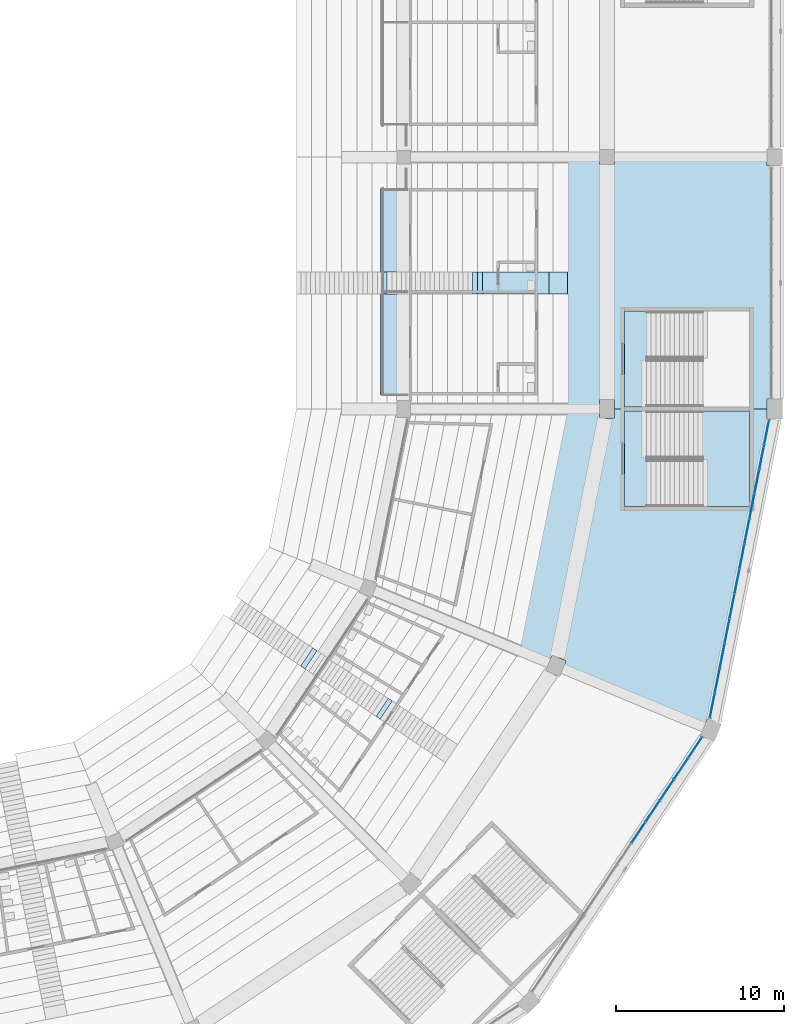
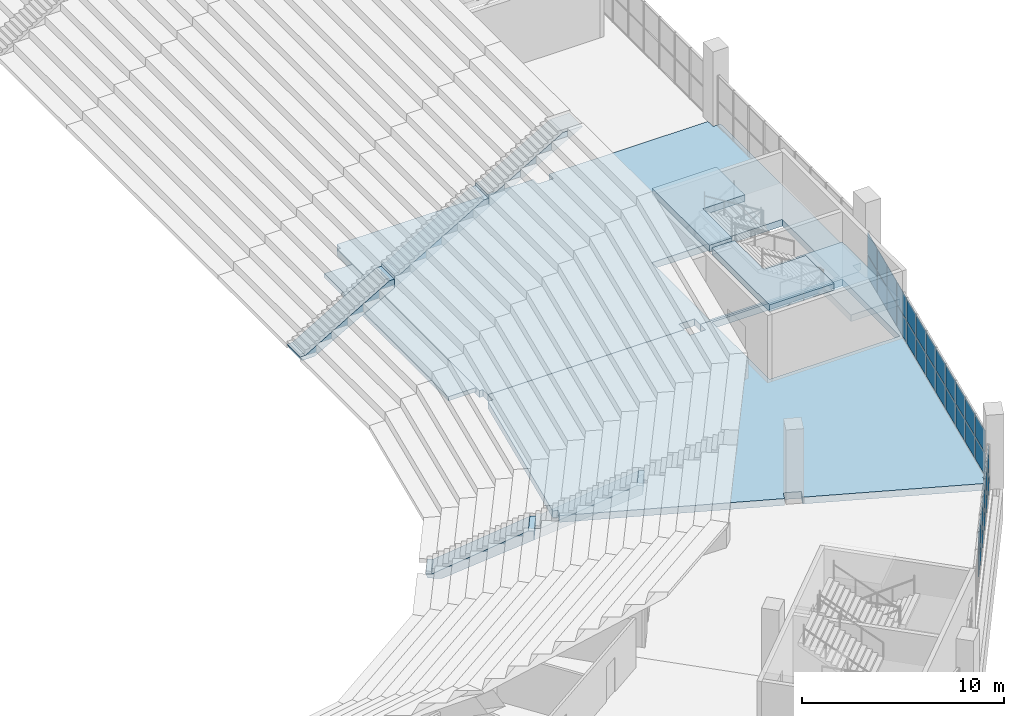
# One storey, part 71 of 249: 34 plates, 11 slabs, 4 elements without a shape of their own.
"""IFC4 building model written with IfcOpenShell, lengths in metres."""

from ifc_helpers import new_model, si_unit, direction, frame, origin, origin_2d, place, context, subcontext, project, spatial, polyline, rectangle, outline, extrude, material, layer, layer_set, type_object, element, aggregate, save


model = new_model("IFC4")

# Units and contexts
model_context = context("Model", 3, precision=1e-05, world=origin(), true_north=direction((0.0, 1.0)))
body_context = subcontext(model_context, "Body", "Model", "MODEL_VIEW")
ifc_project = project(units=[si_unit("LENGTHUNIT", "METRE"), si_unit("AREAUNIT", "SQUARE_METRE"), si_unit("VOLUMEUNIT", "CUBIC_METRE"), si_unit("PLANEANGLEUNIT", "RADIAN"), si_unit("MASSUNIT", "GRAM", prefix="KILO")], contexts=[model_context])

# Site, building, storey
site_placement = place(None, origin())
site = spatial("IfcSite", under=ifc_project, at=site_placement, CompositionType="ELEMENT")
building_placement = place(site_placement, origin())
building = spatial("IfcBuilding", under=site, at=building_placement, Name="Ogive Plaza Stadium", CompositionType="ELEMENT")
storey_placement = place(building_placement, frame((0.0, 0.0, 13.5)))
storey = spatial("IfcBuildingStorey", under=building, at=storey_placement, Name="L03", CompositionType="ELEMENT", Elevation=13.5)

# Slabs
ifc_material_1 = material(Name="Concrete C40/50", Category="concrete")
ifc_layer_1 = layer(ifc_material_1, 0.73486328125)
ifc_layer_set_1 = layer_set([ifc_layer_1], Name="Concrete C40/50")
ifc_layer_2 = layer(ifc_material_1, 0.449951171875)
ifc_layer_set_2 = layer_set([ifc_layer_2], Name="Concrete C40/50")
slab_type_1 = type_object("IfcSlabType", Name="Aisle stair slab 1300", PredefinedType="USERDEFINED", material=ifc_layer_set_2)
slab_1_placement = place(storey_placement, frame((55.5, -45.0, -13.5), z_axis=(0.0, 0.0, 1.0), x_axis=(1.0, 0.0, 0.0)))
element("IfcSlab", 1, at=slab_1_placement, inside=storey, type_object=slab_type_1, material=ifc_layer_set_1, Name="Aisle stair SA07U slab 1", ObjectType="AISLE STAIR SLAB", PredefinedType="USERDEFINED", context=body_context, shape_type="SweptSolid", body=[
    extrude(outline(polyline([(0.0, 14.0), (0.2958984375, 14.0), (5.10009765625, 16.825927734375), (5.39990234375, 16.825927734375), (5.39990234375, 16.300048828125), (5.359375, 16.27734375), (5.209228515625, 16.194091796875), (5.059326171875, 16.110595703125), (4.9091796875, 16.02734375), (4.75927734375, 15.944091796875), (4.609375, 15.860595703125), (4.459228515625, 15.77734375), (4.309326171875, 15.694091796875), (4.1591796875, 15.610595703125), (4.00927734375, 15.52734375), (3.859375, 15.444091796875), (3.709228515625, 15.360595703125), (3.559326171875, 15.27734375), (3.4091796875, 15.194091796875), (3.25927734375, 15.110595703125), (3.109375, 15.02734375), (2.959228515625, 14.944091796875), (2.809326171875, 14.860595703125), (2.6591796875, 14.77734375), (2.50927734375, 14.694091796875), (2.359375, 14.610595703125), (2.209228515625, 14.52734375), (2.059326171875, 14.444091796875), (1.9091796875, 14.360595703125), (1.75927734375, 14.27734375), (1.609375, 14.194091796875), (1.459228515625, 14.110595703125), (1.309326171875, 14.02734375), (1.1591796875, 13.944091796875), (1.00927734375, 13.860595703125), (0.859375, 13.77734375), (0.709228515625, 13.75), (0.559326171875, 13.75), (0.4091796875, 13.75), (0.25927734375, 13.75), (0.109375, 13.75), (0.0, 14.0)])), frame((0.0, 0.64990234375, 0.0), z_axis=(0.0, -1.0, 0.0), x_axis=(1.0, 0.0, 0.0)), (0.0, 0.0, 1.0), 1.300048828125),
])
ifc_layer_3 = layer(ifc_material_1, 0.75927734375)
ifc_layer_set_3 = layer_set([ifc_layer_3], Name="Concrete C40/50")
slab_2_placement = place(storey_placement, frame((60.89990234375, -45.0, -13.5), z_axis=(0.0, 0.0, 1.0), x_axis=(1.0, 0.0, 0.0)))
element("IfcSlab", 2, at=slab_2_placement, inside=storey, type_object=slab_type_1, material=ifc_layer_set_3, Name="Aisle stair SA07U slab 2", ObjectType="AISLE STAIR SLAB", PredefinedType="USERDEFINED", context=body_context, shape_type="SweptSolid", body=[
    extrude(outline(polyline([(0.0, 17.0), (0.2958984375, 17.0), (5.10009765625, 19.825927734375), (5.39990234375, 19.825927734375), (5.39990234375, 19.300048828125), (5.25, 19.216796875), (5.10009765625, 19.13330078125), (4.949951171875, 19.050048828125), (4.800048828125, 18.966796875), (4.64990234375, 18.88330078125), (4.5, 18.800048828125), (4.35009765625, 18.716796875), (4.199951171875, 18.63330078125), (4.050048828125, 18.550048828125), (3.89990234375, 18.466796875), (3.75, 18.38330078125), (3.60009765625, 18.300048828125), (3.449951171875, 18.216796875), (3.300048828125, 18.13330078125), (3.14990234375, 18.050048828125), (3.0, 17.966796875), (2.85009765625, 17.88330078125), (2.699951171875, 17.800048828125), (2.550048828125, 17.716796875), (2.39990234375, 17.63330078125), (2.25, 17.550048828125), (2.10009765625, 17.466796875), (1.949951171875, 17.38330078125), (1.800048828125, 17.300048828125), (1.64990234375, 17.216796875), (1.5, 17.13330078125), (1.35009765625, 17.050048828125), (1.199951171875, 16.966796875), (1.050048828125, 16.88330078125), (0.89990234375, 16.800048828125), (0.75, 16.716796875), (0.60009765625, 16.63330078125), (0.449951171875, 16.550048828125), (0.300048828125, 16.466796875), (0.14990234375, 16.38330078125), (0.0, 16.300048828125), (0.0, 17.0)])), frame((0.0, 0.64990234375, 0.0), z_axis=(0.0, -1.0, 0.0), x_axis=(1.0, 0.0, 0.0)), (0.0, 0.0, 1.0), 1.300048828125),
])
ifc_layer_4 = layer(ifc_material_1, 1.08056640625)
ifc_layer_set_4 = layer_set([ifc_layer_4], Name="Concrete C40/50")
slab_3_placement = place(storey_placement, frame((66.300048828125, -45.0, -13.5), z_axis=(0.0, 0.0, 1.0), x_axis=(1.0, 0.0, 0.0)))
element("IfcSlab", 3, at=slab_3_placement, inside=storey, type_object=slab_type_1, material=ifc_layer_set_4, Name="Aisle stair SA07U slab 3", ObjectType="AISLE STAIR SLAB", PredefinedType="USERDEFINED", context=body_context, shape_type="SweptSolid", body=[
    extrude(outline(polyline([(0.0, 20.0), (0.2958984375, 20.0), (4.25, 22.325927734375), (5.35009765625, 22.325927734375), (5.35009765625, 22.272216796875), (5.25, 22.216796875), (5.10009765625, 22.13330078125), (4.949951171875, 22.050048828125), (4.800048828125, 21.966796875), (4.64990234375, 21.88330078125), (4.5, 21.800048828125), (4.35009765625, 21.716796875), (4.199951171875, 21.63330078125), (4.050048828125, 21.550048828125), (3.89990234375, 21.466796875), (3.75, 21.38330078125), (3.60009765625, 21.300048828125), (3.449951171875, 21.216796875), (3.300048828125, 21.13330078125), (3.14990234375, 21.050048828125), (3.0, 20.966796875), (2.85009765625, 20.88330078125), (2.699951171875, 20.800048828125), (2.550048828125, 20.716796875), (2.39990234375, 20.63330078125), (2.25, 20.550048828125), (2.10009765625, 20.466796875), (1.949951171875, 20.38330078125), (1.800048828125, 20.300048828125), (1.64990234375, 20.216796875), (1.5, 20.13330078125), (1.35009765625, 20.050048828125), (1.199951171875, 19.966796875), (1.050048828125, 19.88330078125), (0.89990234375, 19.800048828125), (0.75, 19.716796875), (0.60009765625, 19.63330078125), (0.449951171875, 19.550048828125), (0.300048828125, 19.466796875), (0.14990234375, 19.38330078125), (0.0, 19.300048828125), (0.0, 20.0)])), frame((0.0, 0.64990234375, 0.0), z_axis=(0.0, -1.0, 0.0), x_axis=(1.0, 0.0, 0.0)), (0.0, 0.0, 1.0), 1.300048828125),
])
slab_4_placement = place(storey_placement, frame((51.876708984375, -64.44482421875, -13.5), z_axis=(0.0, 0.0, 1.0), x_axis=(0.831469612303, -0.55557023302, 0.0)))
element("IfcSlab", 4, at=slab_4_placement, inside=storey, type_object=slab_type_1, material=ifc_layer_set_1, Name="Aisle stair SA09U slab 1", ObjectType="AISLE STAIR SLAB", PredefinedType="USERDEFINED", context=body_context, shape_type="SweptSolid", body=[
    extrude(outline(polyline([(0.0, 14.0), (0.2958984375, 14.0), (5.10009765625, 16.825927734375), (5.39990234375, 16.825927734375), (5.39990234375, 16.300048828125), (5.359375, 16.27734375), (5.209228515625, 16.194091796875), (5.059326171875, 16.110595703125), (4.9091796875, 16.02734375), (4.75927734375, 15.944091796875), (4.609375, 15.860595703125), (4.459228515625, 15.77734375), (4.309326171875, 15.694091796875), (4.1591796875, 15.610595703125), (4.00927734375, 15.52734375), (3.859375, 15.444091796875), (3.709228515625, 15.360595703125), (3.559326171875, 15.27734375), (3.4091796875, 15.194091796875), (3.25927734375, 15.110595703125), (3.109375, 15.02734375), (2.959228515625, 14.944091796875), (2.809326171875, 14.860595703125), (2.6591796875, 14.77734375), (2.50927734375, 14.694091796875), (2.359375, 14.610595703125), (2.209228515625, 14.52734375), (2.059326171875, 14.444091796875), (1.9091796875, 14.360595703125), (1.75927734375, 14.27734375), (1.609375, 14.194091796875), (1.459228515625, 14.110595703125), (1.309326171875, 14.02734375), (1.1591796875, 13.944091796875), (1.00927734375, 13.860595703125), (0.859375, 13.77734375), (0.709228515625, 13.75), (0.559326171875, 13.75), (0.4091796875, 13.75), (0.25927734375, 13.75), (0.109375, 13.75), (0.0, 14.0)])), frame((0.0, 0.64990234375, 0.0), z_axis=(0.0, -1.0, 0.0), x_axis=(1.0, 0.0, 0.0)), (0.0, 0.0, 1.0), 1.300048828125),
])
slab_5_placement = place(storey_placement, frame((56.366455078125, -67.44482421875, -13.5), z_axis=(0.0, 0.0, 1.0), x_axis=(0.831469612303, -0.55557023302, 0.0)))
element("IfcSlab", 5, at=slab_5_placement, inside=storey, type_object=slab_type_1, material=ifc_layer_set_3, Name="Aisle stair SA09U slab 2", ObjectType="AISLE STAIR SLAB", PredefinedType="USERDEFINED", context=body_context, shape_type="SweptSolid", body=[
    extrude(outline(polyline([(0.0, 17.0), (0.2958984375, 17.0), (5.10009765625, 19.825927734375), (5.39990234375, 19.825927734375), (5.39990234375, 19.300048828125), (5.25, 19.216796875), (5.10009765625, 19.13330078125), (4.949951171875, 19.050048828125), (4.800048828125, 18.966796875), (4.64990234375, 18.88330078125), (4.5, 18.800048828125), (4.35009765625, 18.716796875), (4.199951171875, 18.63330078125), (4.050048828125, 18.550048828125), (3.89990234375, 18.466796875), (3.75, 18.38330078125), (3.60009765625, 18.300048828125), (3.449951171875, 18.216796875), (3.300048828125, 18.13330078125), (3.14990234375, 18.050048828125), (3.0, 17.966796875), (2.85009765625, 17.88330078125), (2.699951171875, 17.800048828125), (2.550048828125, 17.716796875), (2.39990234375, 17.63330078125), (2.25, 17.550048828125), (2.10009765625, 17.466796875), (1.949951171875, 17.38330078125), (1.800048828125, 17.300048828125), (1.64990234375, 17.216796875), (1.5, 17.13330078125), (1.35009765625, 17.050048828125), (1.199951171875, 16.966796875), (1.050048828125, 16.88330078125), (0.89990234375, 16.800048828125), (0.75, 16.716796875), (0.60009765625, 16.63330078125), (0.449951171875, 16.550048828125), (0.300048828125, 16.466796875), (0.14990234375, 16.38330078125), (0.0, 16.300048828125), (0.0, 17.0)])), frame((0.0, 0.64990234375, 0.0), z_axis=(0.0, -1.0, 0.0), x_axis=(1.0, 0.0, 0.0)), (0.0, 0.0, 1.0), 1.300048828125),
])
ifc_material_2 = material(Name="Concrete C40/50", Category="concrete")
ifc_layer_5 = layer(ifc_material_2, 0.25)
ifc_layer_set_5 = layer_set([ifc_layer_5], Name="Concrete C40/50")
slab_type_2 = type_object("IfcSlabType", Name="Balcony slab 250", PredefinedType="FLOOR", material=ifc_layer_set_5)
slab_6_placement = place(storey_placement, frame((0.0, 0.0, -0.25)))
element("IfcSlab", 6, at=slab_6_placement, inside=storey, type_object=slab_type_2, Name="Suite terrace slab B07", PredefinedType="FLOOR", context=body_context, shape_type="SweptSolid", body=[
    extrude(outline(polyline([(60.5, -51.675048828125), (62.10009765625, -51.675048828125), (62.10009765625, -39.375), (60.5, -39.375), (60.5, -51.675048828125)])), origin(), (0.0, 0.0, 1.0), 0.25),
])

# Curtain wall, plates
ifc_material_3 = material(Name="Bronze-anodised aluminium with laminated glass", Category="aluminium")
curtain_wall_type = type_object("IfcCurtainWallType", Name="Lancet curtain wall", PredefinedType="NOTDEFINED", material=ifc_material_3)
curtain_wall_1_placement = place(storey_placement, origin())
curtain_wall_1 = element("IfcCurtainWall", 7, at=curtain_wall_1_placement, inside=storey, type_object=curtain_wall_type, Name="CURTAIN WALL B08 L03", PredefinedType="NOTDEFINED")
ifc_material_4 = material(Name="Laminated glass", Category="glass")
ifc_layer_6 = layer(ifc_material_4, 0.028076171875)
ifc_layer_set_6 = layer_set([ifc_layer_6], Name="Laminated glass panel 28")
plate_type = type_object("IfcPlateType", Name="Laminated glass panel 28", PredefinedType="CURTAIN_PANEL", material=ifc_layer_set_6)
plate_1_placement = place(storey_placement, frame((83.522705078125, -53.874267578125, 0.0498046875), z_axis=(0.0, 0.0, 1.0), x_axis=(-0.195090322016, -0.980785280403, 0.0)))
plate_1 = element("IfcPlate", 8, at=plate_1_placement, type_object=plate_type, Name="CW-B08-L03 panel 1.1", PredefinedType="CURTAIN_PANEL", context=body_context, shape_type="SweptSolid", body=[
    extrude(rectangle(XDim=1.43896484375, YDim=0.028076171875, at=origin_2d()), origin(), (0.0, 0.0, 1.0), 1.320068359375),
])
plate_2_placement = place(storey_placement, frame((83.522705078125, -53.874267578125, 1.419921875), z_axis=(0.0, 0.0, 1.0), x_axis=(-0.195090322016, -0.980785280403, 0.0)))
plate_2 = element("IfcPlate", 9, at=plate_2_placement, type_object=plate_type, Name="CW-B08-L03 panel 1.2", PredefinedType="CURTAIN_PANEL", context=body_context, shape_type="SweptSolid", body=[
    extrude(rectangle(XDim=1.43896484375, YDim=0.028076171875, at=origin_2d()), origin(), (0.0, 0.0, 1.0), 1.320068359375),
])
plate_3_placement = place(storey_placement, frame((83.229736328125, -55.3466796875, 0.0498046875), z_axis=(0.0, 0.0, 1.0), x_axis=(-0.195090322016, -0.980785280403, 0.0)))
plate_3 = element("IfcPlate", 10, at=plate_3_placement, type_object=plate_type, Name="CW-B08-L03 panel 2.1", PredefinedType="CURTAIN_PANEL", context=body_context, shape_type="SweptSolid", body=[
    extrude(rectangle(XDim=1.4638671875, YDim=0.028076171875, at=origin_2d()), origin(), (0.0, 0.0, 1.0), 1.320068359375),
])
plate_4_placement = place(storey_placement, frame((83.229736328125, -55.3466796875, 1.419921875), z_axis=(0.0, 0.0, 1.0), x_axis=(-0.195090322016, -0.980785280403, 0.0)))
plate_4 = element("IfcPlate", 11, at=plate_4_placement, type_object=plate_type, Name="CW-B08-L03 panel 2.2", PredefinedType="CURTAIN_PANEL", context=body_context, shape_type="SweptSolid", body=[
    extrude(rectangle(XDim=1.4638671875, YDim=0.028076171875, at=origin_2d()), origin(), (0.0, 0.0, 1.0), 1.320068359375),
])
plate_5_placement = place(storey_placement, frame((82.9345703125, -56.831298828125, 0.0498046875), z_axis=(0.0, 0.0, 1.0), x_axis=(-0.195090322016, -0.980785280403, 0.0)))
plate_5 = element("IfcPlate", 12, at=plate_5_placement, type_object=plate_type, Name="CW-B08-L03 panel 3.1", PredefinedType="CURTAIN_PANEL", context=body_context, shape_type="SweptSolid", body=[
    extrude(rectangle(XDim=1.4638671875, YDim=0.028076171875, at=origin_2d()), origin(), (0.0, 0.0, 1.0), 1.320068359375),
])
plate_6_placement = place(storey_placement, frame((82.9345703125, -56.831298828125, 1.419921875), z_axis=(0.0, 0.0, 1.0), x_axis=(-0.195090322016, -0.980785280403, 0.0)))
plate_6 = element("IfcPlate", 13, at=plate_6_placement, type_object=plate_type, Name="CW-B08-L03 panel 3.2", PredefinedType="CURTAIN_PANEL", context=body_context, shape_type="SweptSolid", body=[
    extrude(rectangle(XDim=1.4638671875, YDim=0.028076171875, at=origin_2d()), origin(), (0.0, 0.0, 1.0), 1.320068359375),
])
plate_7_placement = place(storey_placement, frame((82.63916015625, -58.316162109375, 0.0498046875), z_axis=(0.0, 0.0, 1.0), x_axis=(-0.195090322016, -0.980785280403, 0.0)))
plate_7 = element("IfcPlate", 14, at=plate_7_placement, type_object=plate_type, Name="CW-B08-L03 panel 4.1", PredefinedType="CURTAIN_PANEL", context=body_context, shape_type="SweptSolid", body=[
    extrude(rectangle(XDim=1.4638671875, YDim=0.028076171875, at=origin_2d()), origin(), (0.0, 0.0, 1.0), 1.320068359375),
])
plate_8_placement = place(storey_placement, frame((82.63916015625, -58.316162109375, 1.419921875), z_axis=(0.0, 0.0, 1.0), x_axis=(-0.195090322016, -0.980785280403, 0.0)))
plate_8 = element("IfcPlate", 15, at=plate_8_placement, type_object=plate_type, Name="CW-B08-L03 panel 4.2", PredefinedType="CURTAIN_PANEL", context=body_context, shape_type="SweptSolid", body=[
    extrude(rectangle(XDim=1.4638671875, YDim=0.028076171875, at=origin_2d()), origin(), (0.0, 0.0, 1.0), 1.320068359375),
])
plate_9_placement = place(storey_placement, frame((82.34375, -59.801025390625, 0.0498046875), z_axis=(0.0, 0.0, 1.0), x_axis=(-0.195090322016, -0.980785280403, 0.0)))
plate_9 = element("IfcPlate", 16, at=plate_9_placement, type_object=plate_type, Name="CW-B08-L03 panel 5.1", PredefinedType="CURTAIN_PANEL", context=body_context, shape_type="SweptSolid", body=[
    extrude(rectangle(XDim=1.4638671875, YDim=0.028076171875, at=origin_2d()), origin(), (0.0, 0.0, 1.0), 1.320068359375),
])
plate_10_placement = place(storey_placement, frame((82.34375, -59.801025390625, 1.419921875), z_axis=(0.0, 0.0, 1.0), x_axis=(-0.195090322016, -0.980785280403, 0.0)))
plate_10 = element("IfcPlate", 17, at=plate_10_placement, type_object=plate_type, Name="CW-B08-L03 panel 5.2", PredefinedType="CURTAIN_PANEL", context=body_context, shape_type="SweptSolid", body=[
    extrude(rectangle(XDim=1.4638671875, YDim=0.028076171875, at=origin_2d()), origin(), (0.0, 0.0, 1.0), 1.320068359375),
])
plate_11_placement = place(storey_placement, frame((82.048583984375, -61.28564453125, 0.0498046875), z_axis=(0.0, 0.0, 1.0), x_axis=(-0.195090322016, -0.980785280403, 0.0)))
plate_11 = element("IfcPlate", 18, at=plate_11_placement, type_object=plate_type, Name="CW-B08-L03 panel 6.1", PredefinedType="CURTAIN_PANEL", context=body_context, shape_type="SweptSolid", body=[
    extrude(rectangle(XDim=1.4638671875, YDim=0.028076171875, at=origin_2d()), origin(), (0.0, 0.0, 1.0), 1.320068359375),
])
plate_12_placement = place(storey_placement, frame((82.048583984375, -61.28564453125, 1.419921875), z_axis=(0.0, 0.0, 1.0), x_axis=(-0.195090322016, -0.980785280403, 0.0)))
plate_12 = element("IfcPlate", 19, at=plate_12_placement, type_object=plate_type, Name="CW-B08-L03 panel 6.2", PredefinedType="CURTAIN_PANEL", context=body_context, shape_type="SweptSolid", body=[
    extrude(rectangle(XDim=1.4638671875, YDim=0.028076171875, at=origin_2d()), origin(), (0.0, 0.0, 1.0), 1.320068359375),
])
plate_13_placement = place(storey_placement, frame((81.753173828125, -62.7705078125, 0.0498046875), z_axis=(0.0, 0.0, 1.0), x_axis=(-0.195090322016, -0.980785280403, 0.0)))
plate_13 = element("IfcPlate", 20, at=plate_13_placement, type_object=plate_type, Name="CW-B08-L03 panel 7.1", PredefinedType="CURTAIN_PANEL", context=body_context, shape_type="SweptSolid", body=[
    extrude(rectangle(XDim=1.4638671875, YDim=0.028076171875, at=origin_2d()), origin(), (0.0, 0.0, 1.0), 1.320068359375),
])
plate_14_placement = place(storey_placement, frame((81.753173828125, -62.7705078125, 1.419921875), z_axis=(0.0, 0.0, 1.0), x_axis=(-0.195090322016, -0.980785280403, 0.0)))
plate_14 = element("IfcPlate", 21, at=plate_14_placement, type_object=plate_type, Name="CW-B08-L03 panel 7.2", PredefinedType="CURTAIN_PANEL", context=body_context, shape_type="SweptSolid", body=[
    extrude(rectangle(XDim=1.4638671875, YDim=0.028076171875, at=origin_2d()), origin(), (0.0, 0.0, 1.0), 1.320068359375),
])
plate_15_placement = place(storey_placement, frame((81.457763671875, -64.255126953125, 0.0498046875), z_axis=(0.0, 0.0, 1.0), x_axis=(-0.195090322016, -0.980785280403, 0.0)))
plate_15 = element("IfcPlate", 22, at=plate_15_placement, type_object=plate_type, Name="CW-B08-L03 panel 8.1", PredefinedType="CURTAIN_PANEL", context=body_context, shape_type="SweptSolid", body=[
    extrude(rectangle(XDim=1.4638671875, YDim=0.028076171875, at=origin_2d()), origin(), (0.0, 0.0, 1.0), 1.320068359375),
])
plate_16_placement = place(storey_placement, frame((81.457763671875, -64.255126953125, 1.419921875), z_axis=(0.0, 0.0, 1.0), x_axis=(-0.195090322016, -0.980785280403, 0.0)))
plate_16 = element("IfcPlate", 23, at=plate_16_placement, type_object=plate_type, Name="CW-B08-L03 panel 8.2", PredefinedType="CURTAIN_PANEL", context=body_context, shape_type="SweptSolid", body=[
    extrude(rectangle(XDim=1.4638671875, YDim=0.028076171875, at=origin_2d()), origin(), (0.0, 0.0, 1.0), 1.320068359375),
])
plate_17_placement = place(storey_placement, frame((81.16259765625, -65.739990234375, 0.0498046875), z_axis=(0.0, 0.0, 1.0), x_axis=(-0.195090322016, -0.980785280403, 0.0)))
plate_17 = element("IfcPlate", 24, at=plate_17_placement, type_object=plate_type, Name="CW-B08-L03 panel 9.1", PredefinedType="CURTAIN_PANEL", context=body_context, shape_type="SweptSolid", body=[
    extrude(rectangle(XDim=1.4638671875, YDim=0.028076171875, at=origin_2d()), origin(), (0.0, 0.0, 1.0), 1.320068359375),
])
plate_18_placement = place(storey_placement, frame((81.16259765625, -65.739990234375, 1.419921875), z_axis=(0.0, 0.0, 1.0), x_axis=(-0.195090322016, -0.980785280403, 0.0)))
plate_18 = element("IfcPlate", 25, at=plate_18_placement, type_object=plate_type, Name="CW-B08-L03 panel 9.2", PredefinedType="CURTAIN_PANEL", context=body_context, shape_type="SweptSolid", body=[
    extrude(rectangle(XDim=1.4638671875, YDim=0.028076171875, at=origin_2d()), origin(), (0.0, 0.0, 1.0), 1.320068359375),
])
plate_19_placement = place(storey_placement, frame((80.8671875, -67.224609375, 0.0498046875), z_axis=(0.0, 0.0, 1.0), x_axis=(-0.195090322016, -0.980785280403, 0.0)))
plate_19 = element("IfcPlate", 26, at=plate_19_placement, type_object=plate_type, Name="CW-B08-L03 panel 10.1", PredefinedType="CURTAIN_PANEL", context=body_context, shape_type="SweptSolid", body=[
    extrude(rectangle(XDim=1.4638671875, YDim=0.028076171875, at=origin_2d()), origin(), (0.0, 0.0, 1.0), 1.320068359375),
])
plate_20_placement = place(storey_placement, frame((80.8671875, -67.224609375, 1.419921875), z_axis=(0.0, 0.0, 1.0), x_axis=(-0.195090322016, -0.980785280403, 0.0)))
plate_20 = element("IfcPlate", 27, at=plate_20_placement, type_object=plate_type, Name="CW-B08-L03 panel 10.2", PredefinedType="CURTAIN_PANEL", context=body_context, shape_type="SweptSolid", body=[
    extrude(rectangle(XDim=1.4638671875, YDim=0.028076171875, at=origin_2d()), origin(), (0.0, 0.0, 1.0), 1.320068359375),
])
plate_21_placement = place(storey_placement, frame((80.57177734375, -68.70947265625, 0.0498046875), z_axis=(0.0, 0.0, 1.0), x_axis=(-0.195090322016, -0.980785280403, 0.0)))
plate_21 = element("IfcPlate", 28, at=plate_21_placement, type_object=plate_type, Name="CW-B08-L03 panel 11.1", PredefinedType="CURTAIN_PANEL", context=body_context, shape_type="SweptSolid", body=[
    extrude(rectangle(XDim=1.4638671875, YDim=0.028076171875, at=origin_2d()), origin(), (0.0, 0.0, 1.0), 1.320068359375),
])
plate_22_placement = place(storey_placement, frame((80.57177734375, -68.70947265625, 1.419921875), z_axis=(0.0, 0.0, 1.0), x_axis=(-0.195090322016, -0.980785280403, 0.0)))
plate_22 = element("IfcPlate", 29, at=plate_22_placement, type_object=plate_type, Name="CW-B08-L03 panel 11.2", PredefinedType="CURTAIN_PANEL", context=body_context, shape_type="SweptSolid", body=[
    extrude(rectangle(XDim=1.4638671875, YDim=0.028076171875, at=origin_2d()), origin(), (0.0, 0.0, 1.0), 1.320068359375),
])
plate_23_placement = place(storey_placement, frame((80.27880859375, -70.181884765625, 0.0498046875), z_axis=(0.0, 0.0, 1.0), x_axis=(-0.195090322016, -0.980785280403, 0.0)))
plate_23 = element("IfcPlate", 30, at=plate_23_placement, type_object=plate_type, Name="CW-B08-L03 panel 12.1", PredefinedType="CURTAIN_PANEL", context=body_context, shape_type="SweptSolid", body=[
    extrude(rectangle(XDim=1.43896484375, YDim=0.028076171875, at=origin_2d()), origin(), (0.0, 0.0, 1.0), 1.320068359375),
])
plate_24_placement = place(storey_placement, frame((80.27880859375, -70.181884765625, 1.419921875), z_axis=(0.0, 0.0, 1.0), x_axis=(-0.195090322016, -0.980785280403, 0.0)))
plate_24 = element("IfcPlate", 31, at=plate_24_placement, type_object=plate_type, Name="CW-B08-L03 panel 12.2", PredefinedType="CURTAIN_PANEL", context=body_context, shape_type="SweptSolid", body=[
    extrude(rectangle(XDim=1.43896484375, YDim=0.028076171875, at=origin_2d()), origin(), (0.0, 0.0, 1.0), 1.320068359375),
])
aggregate(curtain_wall_1, [plate_1, plate_2, plate_3, plate_4, plate_5, plate_6, plate_7, plate_8, plate_9, plate_10, plate_11, plate_12, plate_13, plate_14, plate_15, plate_16, plate_17, plate_18, plate_19, plate_20, plate_21, plate_22, plate_23, plate_24])

curtain_wall_2_placement = place(storey_placement, origin())
curtain_wall_2 = element("IfcCurtainWall", 32, at=curtain_wall_2_placement, inside=storey, type_object=curtain_wall_type, Name="CURTAIN WALL B09 L03", PredefinedType="NOTDEFINED")
plate_25_placement = place(storey_placement, frame((79.253173828125, -72.68212890625, 0.0498046875), z_axis=(0.0, 0.0, 1.0), x_axis=(-0.55557023302, -0.831469612303, 0.0)))
plate_25 = element("IfcPlate", 33, at=plate_25_placement, type_object=plate_type, Name="CW-B09-L03 panel 1.1", PredefinedType="CURTAIN_PANEL", context=body_context, shape_type="SweptSolid", body=[
    extrude(rectangle(XDim=1.447265625, YDim=0.028076171875, at=origin_2d()), origin(), (0.0, 0.0, 1.0), 1.320068359375),
])
plate_26_placement = place(storey_placement, frame((79.253173828125, -72.68212890625, 1.419921875), z_axis=(0.0, 0.0, 1.0), x_axis=(-0.55557023302, -0.831469612303, 0.0)))
plate_26 = element("IfcPlate", 34, at=plate_26_placement, type_object=plate_type, Name="CW-B09-L03 panel 1.2", PredefinedType="CURTAIN_PANEL", context=body_context, shape_type="SweptSolid", body=[
    extrude(rectangle(XDim=1.447265625, YDim=0.028076171875, at=origin_2d()), origin(), (0.0, 0.0, 1.0), 1.320068359375),
])
plate_27_placement = place(storey_placement, frame((78.414306640625, -73.9375, 0.0498046875), z_axis=(0.0, 0.0, 1.0), x_axis=(-0.55557023302, -0.831469612303, 0.0)))
plate_27 = element("IfcPlate", 35, at=plate_27_placement, type_object=plate_type, Name="CW-B09-L03 panel 2.1", PredefinedType="CURTAIN_PANEL", context=body_context, shape_type="SweptSolid", body=[
    extrude(rectangle(XDim=1.472412109375, YDim=0.028076171875, at=origin_2d()), origin(), (0.0, 0.0, 1.0), 1.320068359375),
])
plate_28_placement = place(storey_placement, frame((78.414306640625, -73.9375, 1.419921875), z_axis=(0.0, 0.0, 1.0), x_axis=(-0.55557023302, -0.831469612303, 0.0)))
plate_28 = element("IfcPlate", 36, at=plate_28_placement, type_object=plate_type, Name="CW-B09-L03 panel 2.2", PredefinedType="CURTAIN_PANEL", context=body_context, shape_type="SweptSolid", body=[
    extrude(rectangle(XDim=1.472412109375, YDim=0.028076171875, at=origin_2d()), origin(), (0.0, 0.0, 1.0), 1.320068359375),
])
plate_29_placement = place(storey_placement, frame((77.568603515625, -75.203369140625, 0.0498046875), z_axis=(0.0, 0.0, 1.0), x_axis=(-0.55557023302, -0.831469612303, 0.0)))
plate_29 = element("IfcPlate", 37, at=plate_29_placement, type_object=plate_type, Name="CW-B09-L03 panel 3.1", PredefinedType="CURTAIN_PANEL", context=body_context, shape_type="SweptSolid", body=[
    extrude(rectangle(XDim=1.472412109375, YDim=0.028076171875, at=origin_2d()), origin(), (0.0, 0.0, 1.0), 1.320068359375),
])
plate_30_placement = place(storey_placement, frame((77.568603515625, -75.203369140625, 1.419921875), z_axis=(0.0, 0.0, 1.0), x_axis=(-0.55557023302, -0.831469612303, 0.0)))
plate_30 = element("IfcPlate", 38, at=plate_30_placement, type_object=plate_type, Name="CW-B09-L03 panel 3.2", PredefinedType="CURTAIN_PANEL", context=body_context, shape_type="SweptSolid", body=[
    extrude(rectangle(XDim=1.472412109375, YDim=0.028076171875, at=origin_2d()), origin(), (0.0, 0.0, 1.0), 1.320068359375),
])
plate_31_placement = place(storey_placement, frame((76.722900390625, -76.46923828125, 0.0498046875), z_axis=(0.0, 0.0, 1.0), x_axis=(-0.55557023302, -0.831469612303, 0.0)))
plate_31 = element("IfcPlate", 39, at=plate_31_placement, type_object=plate_type, Name="CW-B09-L03 panel 4.1", PredefinedType="CURTAIN_PANEL", context=body_context, shape_type="SweptSolid", body=[
    extrude(rectangle(XDim=1.472412109375, YDim=0.028076171875, at=origin_2d()), origin(), (0.0, 0.0, 1.0), 1.320068359375),
])
plate_32_placement = place(storey_placement, frame((76.722900390625, -76.46923828125, 1.419921875), z_axis=(0.0, 0.0, 1.0), x_axis=(-0.55557023302, -0.831469612303, 0.0)))
plate_32 = element("IfcPlate", 40, at=plate_32_placement, type_object=plate_type, Name="CW-B09-L03 panel 4.2", PredefinedType="CURTAIN_PANEL", context=body_context, shape_type="SweptSolid", body=[
    extrude(rectangle(XDim=1.472412109375, YDim=0.028076171875, at=origin_2d()), origin(), (0.0, 0.0, 1.0), 1.320068359375),
])
plate_33_placement = place(storey_placement, frame((75.876953125, -77.73486328125, 0.0498046875), z_axis=(0.0, 0.0, 1.0), x_axis=(-0.55557023302, -0.831469612303, 0.0)))
plate_33 = element("IfcPlate", 41, at=plate_33_placement, type_object=plate_type, Name="CW-B09-L03 panel 5.1", PredefinedType="CURTAIN_PANEL", context=body_context, shape_type="SweptSolid", body=[
    extrude(rectangle(XDim=1.472412109375, YDim=0.028076171875, at=origin_2d()), origin(), (0.0, 0.0, 1.0), 1.320068359375),
])
plate_34_placement = place(storey_placement, frame((75.876953125, -77.73486328125, 1.419921875), z_axis=(0.0, 0.0, 1.0), x_axis=(-0.55557023302, -0.831469612303, 0.0)))
plate_34 = element("IfcPlate", 42, at=plate_34_placement, type_object=plate_type, Name="CW-B09-L03 panel 5.2", PredefinedType="CURTAIN_PANEL", context=body_context, shape_type="SweptSolid", body=[
    extrude(rectangle(XDim=1.472412109375, YDim=0.028076171875, at=origin_2d()), origin(), (0.0, 0.0, 1.0), 1.320068359375),
])
aggregate(curtain_wall_2, [plate_25, plate_26, plate_27, plate_28, plate_29, plate_30, plate_31, plate_32, plate_33, plate_34])

# Slabs
ifc_material_5 = material(Name="Concrete C40/50", Category="concrete")
ifc_layer_7 = layer(ifc_material_5, 0.409912109375)
ifc_layer_set_7 = layer_set([ifc_layer_7], Name="Concrete C40/50")
slab_type_3 = type_object("IfcSlabType", Name="RC floor slab 410", PredefinedType="FLOOR", material=ifc_layer_set_7)
slab_7_placement = place(storey_placement, frame((0.0, 0.0, -0.409912109375)))
element("IfcSlab", 43, at=slab_7_placement, inside=storey, type_object=slab_type_3, Name="Floor slab L03 B07", PredefinedType="FLOOR", context=body_context, shape_type="SweptSolid", body=[
    extrude(outline(polyline([(73.550048828125, -52.5), (73.550048828125, -51.949951171875), (74.449951171875, -51.949951171875), (74.449951171875, -52.5), (83.550048828125, -52.5), (83.550048828125, -51.89990234375), (84.0, -51.89990234375), (84.0, -38.0), (83.550048828125, -38.0), (83.550048828125, -37.5), (74.449951171875, -37.5), (74.449951171875, -37.949951171875), (73.550048828125, -37.949951171875), (73.550048828125, -37.5), (62.300048828125, -37.5), (62.300048828125, -37.89990234375), (62.10009765625, -37.89990234375), (62.10009765625, -52.0), (62.300048828125, -52.0), (62.300048828125, -52.5), (73.550048828125, -52.5)]), holes=[polyline([(75.050048828125, -52.375), (82.510009765625, -52.375), (82.510009765625, -46.675048828125), (75.050048828125, -46.675048828125), (75.050048828125, -52.375)])]), origin(), (0.0, 0.0, 1.0), 0.409912109375),
])
slab_8_placement = place(storey_placement, frame((0.0, 0.0, -0.409912109375)))
element("IfcSlab", 44, at=slab_8_placement, inside=storey, type_object=slab_type_3, Name="Floor slab L03 B08", PredefinedType="FLOOR", context=body_context, shape_type="SweptSolid", body=[
    extrude(outline(polyline([(70.53955078125, -67.635009765625), (70.730712890625, -67.173095703125), (71.562255859375, -67.517578125), (71.370849609375, -67.9794921875), (79.7783203125, -71.4619140625), (79.98876953125, -70.953857421875), (80.303466796875, -71.084228515625), (83.880615234375, -53.10009765625), (83.550048828125, -53.10009765625), (83.550048828125, -52.5), (74.449951171875, -52.5), (74.449951171875, -53.050048828125), (73.550048828125, -53.050048828125), (73.550048828125, -52.5), (62.300048828125, -52.5), (62.300048828125, -53.0), (62.00048828125, -53.0), (60.050537109375, -62.803466796875), (60.318115234375, -62.914306640625), (60.145751953125, -63.329833984375), (70.53955078125, -67.635009765625)]), holes=[polyline([(75.050048828125, -52.625), (75.050048828125, -58.324951171875), (82.510009765625, -58.324951171875), (82.510009765625, -52.625), (75.050048828125, -52.625)])]), origin(), (0.0, 0.0, 1.0), 0.409912109375),
])

# Stair, slabs
ifc_material_6 = material(Name="Concrete C40/50", Category="concrete")
stair_type = type_object("IfcStairType", Name="Exit stair", PredefinedType="STRAIGHT_RUN_STAIR", material=ifc_material_6)
stair_1_placement = place(storey_placement, origin())
stair_1 = element("IfcStair", 45, at=stair_1_placement, inside=storey, type_object=stair_type, Name="Exit stair ST08A L03 to L04", PredefinedType="STRAIGHT_RUN_STAIR")
ifc_material_7 = material(Name="Concrete C40/50", Category="concrete")
ifc_layer_8 = layer(ifc_material_7, 0.39990234375)
ifc_layer_set_8 = layer_set([ifc_layer_8], Name="Concrete C40/50")
slab_type_4 = type_object("IfcSlabType", Name="Stair landing", PredefinedType="LANDING", material=ifc_layer_set_8)
slab_9_placement = place(storey_placement, frame((0.0, 0.0, 1.85009765625)))
slab_9 = element("IfcSlab", 46, at=slab_9_placement, type_object=slab_type_4, Name="ST08A landing 1", PredefinedType="LANDING", context=body_context, shape_type="SweptSolid", body=[
    extrude(outline(polyline([(82.510009765625, -52.625), (82.510009765625, -58.324951171875), (79.7099609375, -58.324951171875), (79.7099609375, -55.425048828125), (77.31005859375, -55.425048828125), (77.31005859375, -52.625), (79.7099609375, -52.625), (82.510009765625, -52.625)])), origin(), (0.0, 0.0, 1.0), 0.39990234375),
])
slab_10_placement = place(storey_placement, frame((0.0, 0.0, 4.10009765625)))
slab_10 = element("IfcSlab", 47, at=slab_10_placement, type_object=slab_type_4, Name="ST08A landing 2", PredefinedType="LANDING", context=body_context, shape_type="SweptSolid", body=[
    extrude(outline(polyline([(78.75, -55.52490234375), (78.75, -58.324951171875), (76.35009765625, -58.324951171875), (75.050048828125, -58.324951171875), (75.050048828125, -52.625), (76.35009765625, -52.625), (76.35009765625, -55.52490234375), (78.75, -55.52490234375)])), origin(), (0.0, 0.0, 1.0), 0.39990234375),
])
aggregate(stair_1, [slab_9, slab_10])

# Stair, slab
stair_2_placement = place(storey_placement, origin())
stair_2 = element("IfcStair", 48, at=stair_2_placement, inside=storey, type_object=stair_type, Name="Exit stair ST08B L03 to L04", PredefinedType="STRAIGHT_RUN_STAIR")
slab_11_placement = place(storey_placement, frame((0.0, 0.0, 4.10009765625)))
slab_11 = element("IfcSlab", 49, at=slab_11_placement, type_object=slab_type_4, Name="ST08B landing 2", PredefinedType="LANDING", context=body_context, shape_type="SweptSolid", body=[
    extrude(outline(polyline([(76.35009765625, -52.375), (75.050048828125, -52.375), (75.050048828125, -46.675048828125), (76.35009765625, -46.675048828125), (78.75, -46.675048828125), (78.75, -49.47509765625), (76.35009765625, -49.47509765625), (76.35009765625, -52.375)])), origin(), (0.0, 0.0, 1.0), 0.39990234375),
])
aggregate(stair_2, [slab_11])

save(model, "model.ifc")
